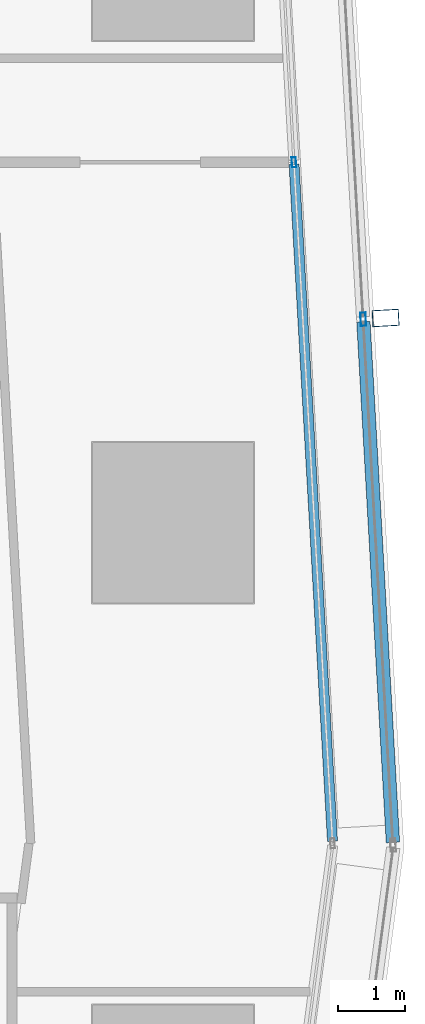
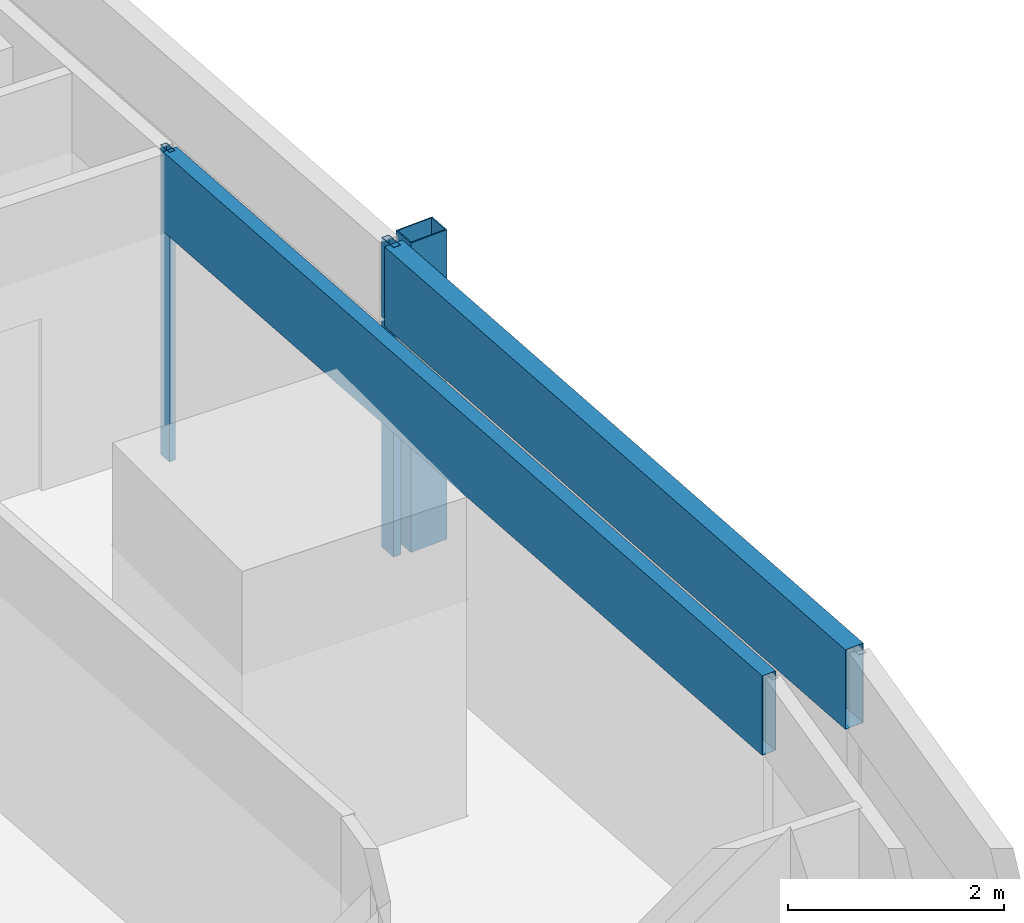
# One storey, part 12 of 37: 5 members, 2 elements without a shape of their own.
"""IFC4 building model written with IfcOpenShell, lengths in metres."""

from ifc_helpers import new_model, si_unit, direction, frame, origin, origin_2d, place, context, subcontext, project, spatial, hollow_rectangle, extrude, material, material_profile, profile_set, type_object, element, aggregate, save


model = new_model("IFC4")

# Units and contexts
model_context = context("Model", 3, precision=1e-05, world=origin(), true_north=direction((0.0, 1.0)))
body_context = subcontext(model_context, "Body", "Model", "MODEL_VIEW")
ifc_project = project(units=[si_unit("LENGTHUNIT", "METRE"), si_unit("AREAUNIT", "SQUARE_METRE"), si_unit("VOLUMEUNIT", "CUBIC_METRE"), si_unit("PLANEANGLEUNIT", "RADIAN"), si_unit("MASSUNIT", "GRAM", prefix="KILO")], contexts=[model_context])

# Site, building, storey
site_placement = place(None, origin())
site = spatial("IfcSite", under=ifc_project, at=site_placement, CompositionType="ELEMENT")
building_placement = place(site_placement, origin())
building = spatial("IfcBuilding", under=site, at=building_placement, Name="Rekha Terrace Tower", CompositionType="ELEMENT")
storey_placement = place(building_placement, frame((0.0, 0.0, 232.699951171875)))
storey = spatial("IfcBuildingStorey", under=building, at=storey_placement, Name="L59", CompositionType="ELEMENT", Elevation=232.699951171875)

# Curtain wall, member
ifc_material_1 = material(Name="Aluminium framing", Category="aluminium")
curtain_wall_type_1 = type_object("IfcCurtainWallType", Name="CW2 double skin outer glazing", PredefinedType="USERDEFINED", material=ifc_material_1)
curtain_wall_1_placement = place(storey_placement, origin())
curtain_wall_1 = element("IfcCurtainWall", 1, at=curtain_wall_1_placement, inside=storey, type_object=curtain_wall_type_1, Name="CW2 double skin outer glazing", ObjectType="DOUBLE SKIN OUTER GLAZING", PredefinedType="USERDEFINED")
ifc_material_2 = material(Name="Steel S355 with fluorocarbon finish", Category="steel")
ifc_material_profile_1 = material_profile(ifc_material_2, hollow_rectangle(XDim=0.25, YDim=0.39990234375, WallThickness=0.012451171875, at=origin_2d()), Name="RHS400x250x12.5")
ifc_profile_set_1 = profile_set([ifc_material_profile_1], Name="Steel S355 with fluorocarbon finish")
member_type_1 = type_object("IfcMemberType", Name="BL1 facade blade RHS 400 x 250", PredefinedType="USERDEFINED", material=ifc_profile_set_1)
member_1_placement = place(storey_placement, frame((61.975830078125, 36.65576171875, 0.0), z_axis=(0.0, 0.0, 1.0), x_axis=(-0.056673619809, 0.998392758797, 0.0)))
member_1 = element("IfcMember", 2, at=member_1_placement, type_object=member_type_1, Name="Facade blade", ObjectType="FACADE BLADE", PredefinedType="USERDEFINED", context=body_context, shape_type="SweptSolid", body=[
    extrude(hollow_rectangle(XDim=0.25, YDim=0.39990234375, WallThickness=0.012451171875, at=origin_2d()), origin(), (0.0, 0.0, 1.0), 3.5),
])

# Curtain wall, members
curtain_wall_type_2 = type_object("IfcCurtainWallType", Name="CW1 double skin inner glazing", PredefinedType="USERDEFINED", material=ifc_material_1)
curtain_wall_2_placement = place(storey_placement, origin())
curtain_wall_2 = element("IfcCurtainWall", 3, at=curtain_wall_2_placement, inside=storey, type_object=curtain_wall_type_2, Name="CW1 double skin inner glazing", ObjectType="DOUBLE SKIN INNER GLAZING", PredefinedType="USERDEFINED")
ifc_material_3 = material(Name="Aluminium mullion section", Category="aluminium")
ifc_material_profile_2 = material_profile(ifc_material_3, hollow_rectangle(XDim=0.06494140625, YDim=0.14990234375, WallThickness=0.00390625, at=origin_2d()), Name="AL RHS 65x150")
ifc_profile_set_2 = profile_set([ifc_material_profile_2], Name="Aluminium mullion section")
member_type_2 = type_object("IfcMemberType", Name="CW1 mullion RHS 65 x 150", PredefinedType="MULLION", material=ifc_profile_set_2)
member_2_placement = place(storey_placement, frame((60.60693359375, 38.980712890625, 0.0), z_axis=(0.0, 0.0, 1.0), x_axis=(-0.998392782918, -0.056673194877, 0.0)))
member_2 = element("IfcMember", 4, at=member_2_placement, type_object=member_type_2, Name="CW1 mullion 2", PredefinedType="MULLION", context=body_context, shape_type="SweptSolid", body=[
    extrude(hollow_rectangle(XDim=0.06494140625, YDim=0.14990234375, WallThickness=0.00390625, at=origin_2d()), origin(), (0.0, 0.0, 1.0), 3.5),
])
ifc_material_4 = material(Name="Insulated aluminium spandrel box", Category="aluminium")
ifc_material_profile_3 = material_profile(ifc_material_4, hollow_rectangle(XDim=0.14990234375, YDim=0.89990234375, WallThickness=0.0029296875, at=origin_2d()), Name="AL SPANDREL BOX 150x900")
ifc_profile_set_3 = profile_set([ifc_material_profile_3], Name="Insulated aluminium spandrel box")
member_type_3 = type_object("IfcMemberType", Name="CW1 spandrel transom 150 x 900", PredefinedType="USERDEFINED", material=ifc_profile_set_3)
member_3_placement = place(storey_placement, frame((61.182373046875, 28.8447265625, 3.050048828125), z_axis=(-0.056669850498, 0.998392972754, 0.0), x_axis=(-0.998392972754, -0.056669850498, 0.0)))
member_3 = element("IfcMember", 5, at=member_3_placement, type_object=member_type_3, Name="CW1 spandrel transom 1", ObjectType="TRANSOM", PredefinedType="USERDEFINED", context=body_context, shape_type="SweptSolid", body=[
    extrude(hollow_rectangle(XDim=0.14990234375, YDim=0.89990234375, WallThickness=0.0029296875, at=origin_2d()), origin(), (0.0, 0.0, 1.0), 10.119873046875),
])
aggregate(curtain_wall_2, [member_2, member_3])

# Member
ifc_material_profile_4 = material_profile(ifc_material_3, hollow_rectangle(XDim=0.080078125, YDim=0.199951171875, WallThickness=0.00390625, at=origin_2d()), Name="AL RHS 80x200")
ifc_profile_set_4 = profile_set([ifc_material_profile_4], Name="Aluminium mullion section")
member_type_4 = type_object("IfcMemberType", Name="CW2 mullion RHS 80 x 200", PredefinedType="MULLION", material=ifc_profile_set_4)
member_4_placement = place(storey_placement, frame((61.6416015625, 36.63671875, 0.0), z_axis=(0.0, 0.0, 1.0), x_axis=(-0.998392782919, -0.05667319486, 0.0)))
member_4 = element("IfcMember", 6, at=member_4_placement, type_object=member_type_4, Name="CW2 mullion 2", PredefinedType="MULLION", context=body_context, shape_type="SweptSolid", body=[
    extrude(hollow_rectangle(XDim=0.080078125, YDim=0.199951171875, WallThickness=0.00390625, at=origin_2d()), origin(), (0.0, 0.0, 1.0), 3.5),
])

ifc_material_profile_5 = material_profile(ifc_material_4, hollow_rectangle(XDim=0.199951171875, YDim=0.89990234375, WallThickness=0.0029296875, at=origin_2d()), Name="AL SPANDREL BOX 200x900")
ifc_profile_set_5 = profile_set([ifc_material_profile_5], Name="Insulated aluminium spandrel box")
member_type_5 = type_object("IfcMemberType", Name="CW2 spandrel transom 200 x 900", PredefinedType="USERDEFINED", material=ifc_profile_set_5)
member_5_placement = place(storey_placement, frame((62.0849609375, 28.825927734375, 3.050048828125), z_axis=(-0.05667908121, 0.998392448766, 0.0), x_axis=(-0.998392448766, -0.05667908121, 0.0)))
member_5 = element("IfcMember", 7, at=member_5_placement, type_object=member_type_5, Name="CW2 spandrel transom 1", ObjectType="TRANSOM", PredefinedType="USERDEFINED", context=body_context, shape_type="SweptSolid", body=[
    extrude(hollow_rectangle(XDim=0.199951171875, YDim=0.89990234375, WallThickness=0.0029296875, at=origin_2d()), origin(), (0.0, 0.0, 1.0), 7.783447265625),
])

aggregate(curtain_wall_1, [member_4, member_5, member_1])

save(model, "model.ifc")
